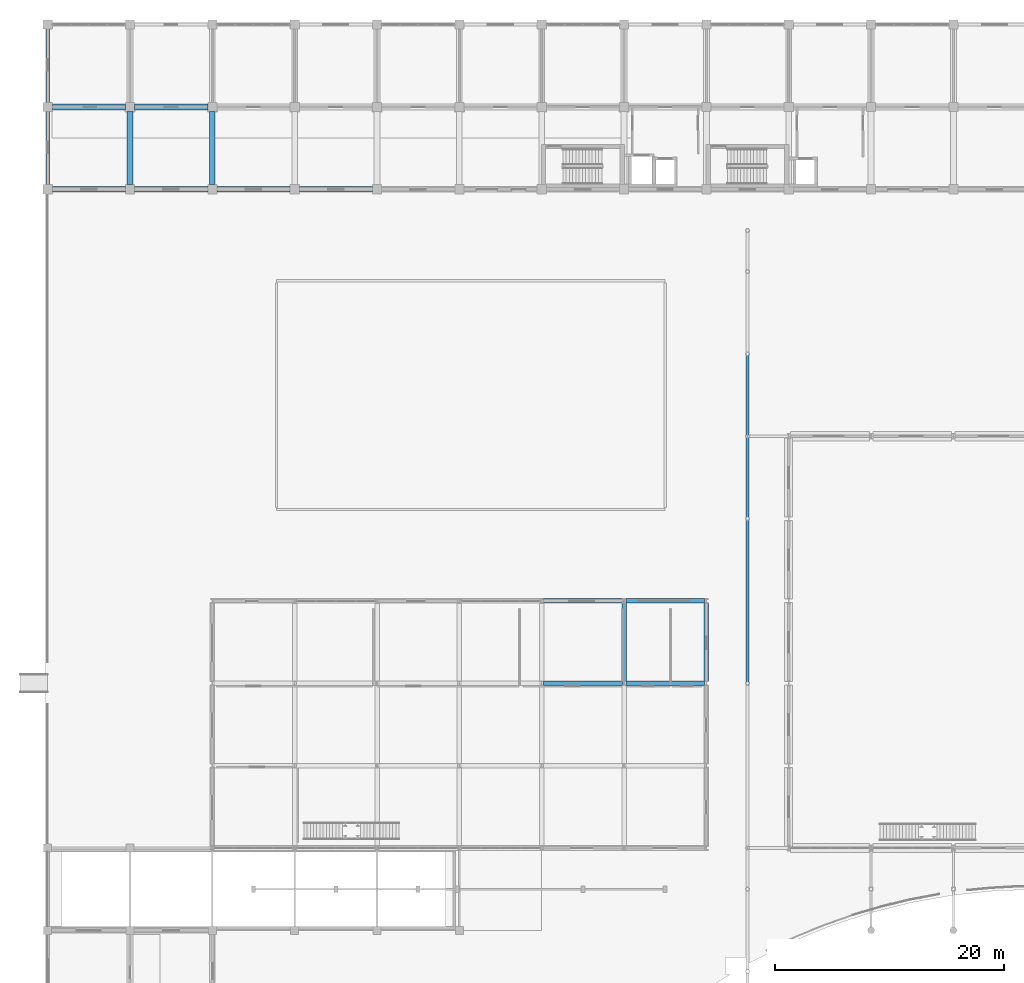
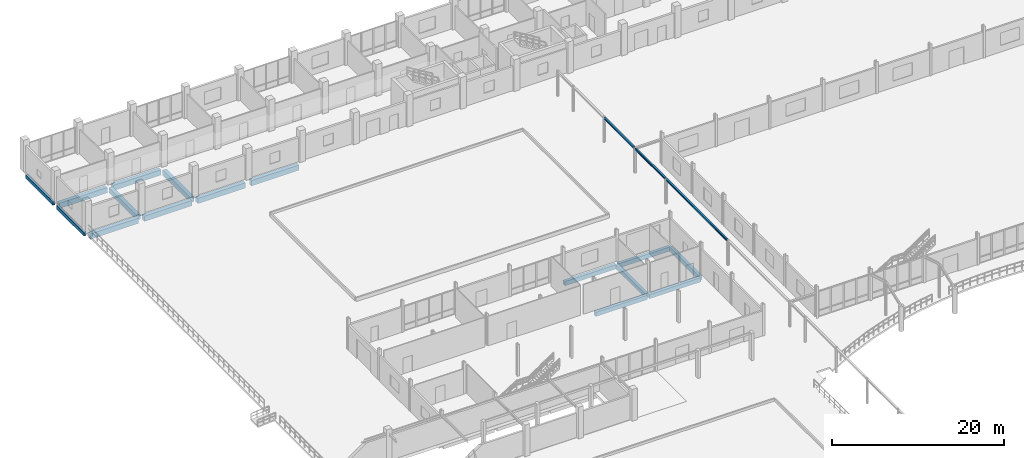
# One storey, part 47 of 139: 19 beams.
"""IFC4 building model written with IfcOpenShell, lengths in metres."""

from ifc_helpers import new_model, si_unit, direction, frame, origin, origin_2d, place, context, subcontext, project, spatial, rectangle, i_section, extrude, material, material_profile, profile_set, type_object, element, save


model = new_model("IFC4")

# Units and contexts
model_context = context("Model", 3, precision=1e-05, world=origin(), true_north=direction((0.0, 1.0)))
body_context = subcontext(model_context, "Body", "Model", "MODEL_VIEW")
ifc_project = project(units=[si_unit("LENGTHUNIT", "METRE"), si_unit("AREAUNIT", "SQUARE_METRE"), si_unit("VOLUMEUNIT", "CUBIC_METRE"), si_unit("PLANEANGLEUNIT", "RADIAN"), si_unit("MASSUNIT", "GRAM", prefix="KILO")], contexts=[model_context])

# Site, building, storey
site_placement = place(None, origin())
site = spatial("IfcSite", under=ifc_project, at=site_placement, CompositionType="ELEMENT")
building_placement = place(site_placement, origin())
building = spatial("IfcBuilding", under=site, at=building_placement, Name="Suanplinth Sawtooth Commons", CompositionType="ELEMENT")
storey_placement = place(building_placement, origin())
storey = spatial("IfcBuildingStorey", under=building, at=storey_placement, Name="L00", CompositionType="ELEMENT", Elevation=0.0)

# Beams
ifc_material_1 = material(Name="Concrete C40/50", Category="concrete")
ifc_material_profile_1 = material_profile(ifc_material_1, rectangle(XDim=0.5, YDim=0.75, at=origin_2d()), Name="RC-GDR 500x750")
ifc_profile_set_1 = profile_set([ifc_material_profile_1], Name="Concrete C40/50")
beam_type_1 = type_object("IfcBeamType", Name="B-03", PredefinedType="USERDEFINED", material=ifc_profile_set_1)
for number, where, z_axis, x_axis, name in (
    (1, (0.39990234375, 108.0, -0.784912109375), (1.0, 0.0, 0.0), (0.0, 1.0, 0.0), "BMX-L00-A-0-15"),
    (2, (0.39990234375, 115.199951171875, -0.784912109375), (1.0, 0.0, 0.0), (0.0, 1.0, 0.0), "BMX-L00-A-0-16"),
):
    element("IfcBeam", number, at=place(storey_placement, frame(where, z_axis=z_axis, x_axis=x_axis)), inside=storey, type_object=beam_type_1, Name=name, ObjectType="GIRDER", PredefinedType="USERDEFINED", context=body_context, shape_type="SweptSolid", body=[
        extrude(rectangle(XDim=0.5, YDim=0.75, at=origin_2d()), origin(), (0.0, 0.0, 1.0), 6.400146484375),
    ])
for number, where, z_axis, x_axis, name in (
    (3, (7.60009765625, 108.0, -0.784912109375), (1.0, 0.0, 0.0), (0.0, 1.0, 0.0), "BMX-L00-A-1-15"),
    (4, (7.60009765625, 115.199951171875, -0.784912109375), (1.0, 0.0, 0.0), (0.0, 1.0, 0.0), "BMX-L00-A-1-16"),
    (5, (14.800048828125, 108.0, -0.784912109375), (1.0, 0.0, 0.0), (0.0, 1.0, 0.0), "BMX-L00-A-2-15"),
    (6, (22.0, 108.0, -0.784912109375), (1.0, 0.0, 0.0), (0.0, 1.0, 0.0), "BMX-L00-A-3-15"),
):
    element("IfcBeam", number, at=place(storey_placement, frame(where, z_axis=z_axis, x_axis=x_axis)), inside=storey, type_object=beam_type_1, Name=name, ObjectType="GIRDER", PredefinedType="USERDEFINED", context=body_context, shape_type="SweptSolid", body=[
        extrude(rectangle(XDim=0.5, YDim=0.75, at=origin_2d()), origin(), (0.0, 0.0, 1.0), 6.39990234375),
    ])
for number, where, z_axis, x_axis, name in (
    (7, (7.199951171875, 108.39990234375, -0.784912109375), (0.0, 1.0, 0.0), (-1.0, 0.0, 0.0), "BMY-L00-A-1-15"),
    (8, (14.39990234375, 108.39990234375, -0.784912109375), (0.0, 1.0, 0.0), (-1.0, 0.0, 0.0), "BMY-L00-A-2-15"),
):
    element("IfcBeam", number, at=place(storey_placement, frame(where, z_axis=z_axis, x_axis=x_axis)), inside=storey, type_object=beam_type_1, Name=name, ObjectType="GIRDER", PredefinedType="USERDEFINED", context=body_context, shape_type="SweptSolid", body=[
        extrude(rectangle(XDim=0.5, YDim=0.75, at=origin_2d()), origin(), (0.0, 0.0, 1.0), 6.400146484375),
    ])
ifc_material_2 = material(Name="Precast concrete C40/50", Category="concrete")
ifc_material_profile_2 = material_profile(ifc_material_2, rectangle(XDim=0.39990234375, YDim=0.60009765625, at=origin_2d()), Name="PC-GDR 400x600")
ifc_profile_set_2 = profile_set([ifc_material_profile_2], Name="Precast concrete C40/50")
beam_type_2 = type_object("IfcBeamType", Name="B-05", PredefinedType="USERDEFINED", material=ifc_profile_set_2)
for number, where, z_axis, x_axis, name in (
    (9, (43.35009765625, 64.800048828125, -0.7099609375), (1.0, 0.0, 0.0), (0.0, 1.0, 0.0), "BMX-L00-MKT-6-9"),
    (10, (43.35009765625, 72.0, -0.7099609375), (1.0, 0.0, 0.0), (0.0, 1.0, 0.0), "BMX-L00-MKT-6-10"),
    (11, (50.550048828125, 64.800048828125, -0.7099609375), (1.0, 0.0, 0.0), (0.0, 1.0, 0.0), "BMX-L00-MKT-7-9"),
    (12, (50.550048828125, 72.0, -0.7099609375), (1.0, 0.0, 0.0), (0.0, 1.0, 0.0), "BMX-L00-MKT-7-10"),
):
    element("IfcBeam", number, at=place(storey_placement, frame(where, z_axis=z_axis, x_axis=x_axis)), inside=storey, type_object=beam_type_2, Name=name, ObjectType="GIRDER", PredefinedType="USERDEFINED", context=body_context, shape_type="SweptSolid", body=[
        extrude(rectangle(XDim=0.39990234375, YDim=0.60009765625, at=origin_2d()), origin(), (0.0, 0.0, 1.0), 6.89990234375),
    ])
for number, where, z_axis, x_axis, name in (
    (13, (50.39990234375, 64.949951171875, -0.7099609375), (0.0, 1.0, 0.0), (-1.0, 0.0, 0.0), "BMY-L00-MKT-7-9"),
    (14, (57.60009765625, 64.949951171875, -0.7099609375), (0.0, 1.0, 0.0), (-1.0, 0.0, 0.0), "BMY-L00-MKT-8-9"),
):
    element("IfcBeam", number, at=place(storey_placement, frame(where, z_axis=z_axis, x_axis=x_axis)), inside=storey, type_object=beam_type_2, Name=name, ObjectType="GIRDER", PredefinedType="USERDEFINED", context=body_context, shape_type="SweptSolid", body=[
        extrude(rectangle(XDim=0.39990234375, YDim=0.60009765625, at=origin_2d()), origin(), (0.0, 0.0, 1.0), 6.900146484375),
    ])
ifc_material_profile_3 = material_profile(ifc_material_2, rectangle(XDim=0.280029296875, YDim=0.52001953125, at=origin_2d()), Name="PC-SP 280x520")
ifc_profile_set_3 = profile_set([ifc_material_profile_3], Name="Precast concrete C40/50")
beam_type_3 = type_object("IfcBeamType", Name="B-08", PredefinedType="SPANDREL", material=ifc_profile_set_3)
beam_1_placement = place(storey_placement, frame((0.0, 108.39990234375, -0.669921875), z_axis=(0.0, 1.0, 0.0), x_axis=(-1.0, 0.0, 0.0)))
element("IfcBeam", 15, at=beam_1_placement, inside=storey, type_object=beam_type_3, Name="BMY-L00-A-0-15", PredefinedType="SPANDREL", context=body_context, shape_type="SweptSolid", body=[
    extrude(rectangle(XDim=0.280029296875, YDim=0.52001953125, at=origin_2d()), origin(), (0.0, 0.0, 1.0), 6.400146484375),
])
beam_2_placement = place(storey_placement, frame((0.0, 115.60009765625, -0.669921875), z_axis=(0.0, 1.0, 0.0), x_axis=(-1.0, 0.0, 0.0)))
element("IfcBeam", 16, at=beam_2_placement, inside=storey, type_object=beam_type_3, Name="BMY-L00-A-0-16", PredefinedType="SPANDREL", context=body_context, shape_type="SweptSolid", body=[
    extrude(rectangle(XDim=0.280029296875, YDim=0.52001953125, at=origin_2d()), origin(), (0.0, 0.0, 1.0), 6.39990234375),
])
ifc_material_3 = material(Name="Steel S355JR", Category="steel")
ifc_material_profile_4 = material_profile(ifc_material_3, i_section(OverallWidth=0.239990234375, OverallDepth=0.22998046875, WebThickness=0.007568359375, FlangeThickness=0.011962890625, at=origin_2d()), Name="HEA 240")
ifc_profile_set_4 = profile_set([ifc_material_profile_4], Name="Steel S355JR")
beam_type_4 = type_object("IfcBeamType", Name="B-17", PredefinedType="BEAM", material=ifc_profile_set_4)
beam_3_placement = place(storey_placement, frame((61.199951171875, 64.93994140625, 3.43994140625), z_axis=(0.0, 1.0, 0.0), x_axis=(-1.0, 0.0, 0.0)))
element("IfcBeam", 17, at=beam_3_placement, inside=storey, type_object=beam_type_4, Name="West Breezeway Spine Beam 7", PredefinedType="BEAM", context=body_context, shape_type="SweptSolid", body=[
    extrude(i_section(OverallWidth=0.239990234375, OverallDepth=0.22998046875, WebThickness=0.007568359375, FlangeThickness=0.011962890625, at=origin_2d()), origin(), (0.0, 0.0, 1.0), 14.1201171875),
])
for number, where, z_axis, x_axis, name in (
    (18, (61.199951171875, 79.340087890625, 3.43994140625), (0.0, 1.0, 0.0), (-1.0, 0.0, 0.0), "West Breezeway Spine Beam 8"),
    (19, (61.199951171875, 86.5400390625, 3.43994140625), (0.0, 1.0, 0.0), (-1.0, 0.0, 0.0), "West Breezeway Spine Beam 9"),
):
    element("IfcBeam", number, at=place(storey_placement, frame(where, z_axis=z_axis, x_axis=x_axis)), inside=storey, type_object=beam_type_4, Name=name, PredefinedType="BEAM", context=body_context, shape_type="SweptSolid", body=[
        extrude(i_section(OverallWidth=0.239990234375, OverallDepth=0.22998046875, WebThickness=0.007568359375, FlangeThickness=0.011962890625, at=origin_2d()), origin(), (0.0, 0.0, 1.0), 6.919921875),
    ])

save(model, "model.ifc")
